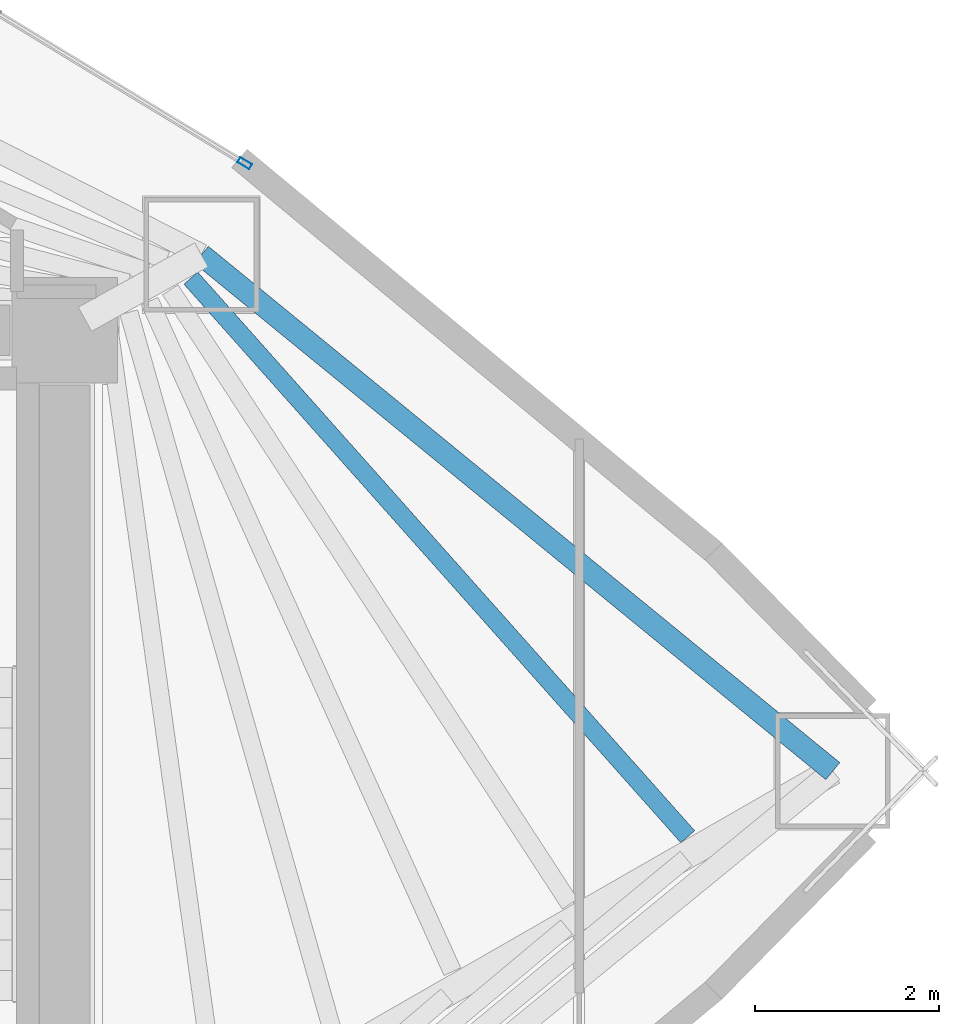
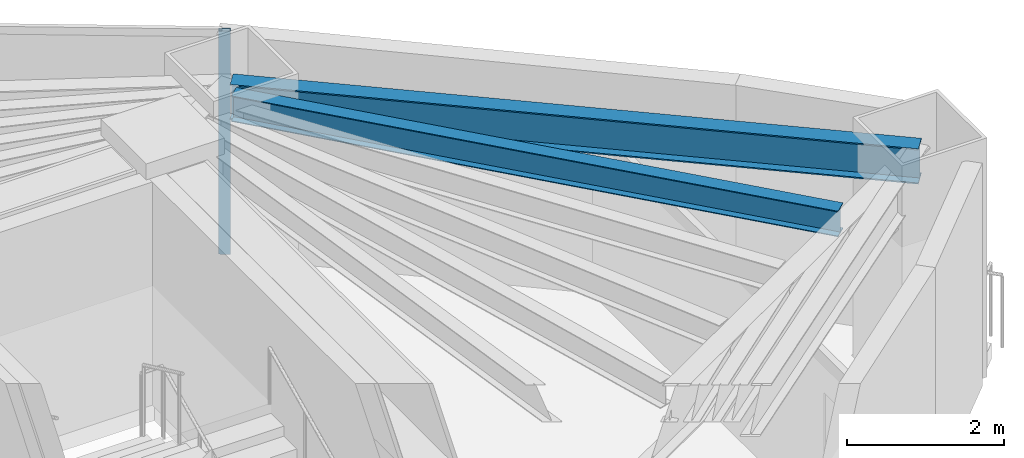
# One storey, part 12 of 18: 2 beams, 1 member, 1 element without a shape of its own.
"""IFC4 building model written with IfcOpenShell, lengths in metres."""

from ifc_helpers import new_model, si_unit, direction, frame, origin, origin_2d, place, context, subcontext, project, spatial, hollow_rectangle, i_section, extrude, material, layer, layer_set, material_profile, profile_set, type_object, element, aggregate, save


model = new_model("IFC4")

# Units and contexts
model_context = context("Model", 3, precision=1e-05, world=origin(), true_north=direction((0.0, 1.0)))
body_context = subcontext(model_context, "Body", "Model", "MODEL_VIEW")
ifc_project = project(units=[si_unit("LENGTHUNIT", "METRE"), si_unit("AREAUNIT", "SQUARE_METRE"), si_unit("VOLUMEUNIT", "CUBIC_METRE"), si_unit("PLANEANGLEUNIT", "RADIAN"), si_unit("MASSUNIT", "GRAM", prefix="KILO")], contexts=[model_context])

# Site, building, storey
site_placement = place(None, origin())
site = spatial("IfcSite", under=ifc_project, at=site_placement, CompositionType="ELEMENT")
building_placement = place(site_placement, origin())
building = spatial("IfcBuilding", under=site, at=building_placement, Name="Menara Vayukalpa", CompositionType="ELEMENT")
storey_placement = place(building_placement, frame((0.0, 0.0, 126.300048828125)))
storey = spatial("IfcBuildingStorey", under=building, at=storey_placement, Name="L31", CompositionType="ELEMENT", Elevation=126.300048828125)

# Beams
ifc_material_1 = material(Name="Steel S355", Category="steel")
ifc_material_profile_1 = material_profile(ifc_material_1, i_section(OverallWidth=0.199951171875, OverallDepth=0.39990234375, WebThickness=0.008056640625, FlangeThickness=0.012939453125, at=origin_2d()), Name="WF 400x200x8x13")
ifc_profile_set_1 = profile_set([ifc_material_profile_1], Name="Steel S355")
beam_type_1 = type_object("IfcBeamType", Name="BM-SJ2", PredefinedType="JOIST", material=ifc_profile_set_1)
beam_1_placement = place(storey_placement, frame((40.182861328125, 21.285400390625, 3.27001953125), z_axis=(-0.664656003625, 0.747149514384, 0.0), x_axis=(-0.747149514384, -0.664656003625, 0.0)))
element("IfcBeam", 1, at=beam_1_placement, inside=storey, type_object=beam_type_1, Name="L31 Secondary Floor Joist SJ01-5", PredefinedType="JOIST", context=body_context, shape_type="SweptSolid", body=[
    extrude(i_section(OverallWidth=0.199951171875, OverallDepth=0.39990234375, WebThickness=0.008056640625, FlangeThickness=0.012939453125, at=origin_2d()), origin(), (0.0, 0.0, 1.0), 8.1416015625),
])
ifc_material_2 = material(Name="Steel S355", Category="steel")
ifc_material_profile_2 = material_profile(ifc_material_2, i_section(OverallWidth=0.239990234375, OverallDepth=0.550048828125, WebThickness=0.010986328125, FlangeThickness=0.01904296875, at=origin_2d()), Name="WF 550x240x11x19")
ifc_profile_set_2 = profile_set([ifc_material_profile_2], Name="Steel S355")
beam_type_2 = type_object("IfcBeamType", Name="BM-SP2", PredefinedType="SPANDREL", material=ifc_profile_set_2)
beam_2_placement = place(storey_placement, frame((41.761962890625, 22.0, 3.195068359375), z_axis=(-0.774156906301, 0.632993747541, 0.0), x_axis=(-0.632993747541, -0.774156906301, 0.0)))
element("IfcBeam", 2, at=beam_2_placement, inside=storey, type_object=beam_type_2, Name="L31 Perimeter Spandrel Beam SP01", PredefinedType="SPANDREL", context=body_context, shape_type="SweptSolid", body=[
    extrude(i_section(OverallWidth=0.239990234375, OverallDepth=0.550048828125, WebThickness=0.010986328125, FlangeThickness=0.01904296875, at=origin_2d()), origin(), (0.0, 0.0, 1.0), 8.880859375),
])

# Curtain wall, member
ifc_material_3 = material(Name="Anodised Terracotta Aluminium Alloy 6063-T6", Category="masonry")
ifc_layer = layer(ifc_material_3, 0.14990234375)
ifc_layer_set = layer_set([ifc_layer], Name="Anodised Terracotta Aluminium Alloy 6063-T6")
curtain_wall_type = type_object("IfcCurtainWallType", Name="CW-CW3", PredefinedType="USERDEFINED", material=ifc_layer_set)
curtain_wall_placement = place(storey_placement, origin())
curtain_wall = element("IfcCurtainWall", 3, at=curtain_wall_placement, inside=storey, type_object=curtain_wall_type, Name="L31 Mid Rise Terracotta Ribbon Curtain Wall CW3 04", ObjectType="UNITISED", PredefinedType="USERDEFINED")
ifc_material_4 = material(Name="Anodised Terracotta Aluminium Alloy 6063-T6", Category="masonry")
ifc_material_profile_3 = material_profile(ifc_material_4, hollow_rectangle(XDim=0.06494140625, YDim=0.14990234375, WallThickness=0.00341796875, at=origin_2d()), Name="ALU 65x150x3.5")
ifc_profile_set_3 = profile_set([ifc_material_profile_3], Name="Anodised Terracotta Aluminium Alloy 6063-T6")
member_type = type_object("IfcMemberType", Name="CWM-CW3", PredefinedType="MULLION", material=ifc_profile_set_3)
member_placement = place(storey_placement, frame((35.358154296875, 28.61865234375, 0.0), z_axis=(0.0, 0.0, 1.0), x_axis=(-0.519182959112, -0.854663123674, 0.0)))
member = element("IfcMember", 4, at=member_placement, type_object=member_type, Name="CW3 mullion 1", PredefinedType="MULLION", context=body_context, shape_type="SweptSolid", body=[
    extrude(hollow_rectangle(XDim=0.06494140625, YDim=0.14990234375, WallThickness=0.00341796875, at=origin_2d()), origin(), (0.0, 0.0, 1.0), 3.469970703125),
])
aggregate(curtain_wall, [member])

save(model, "model.ifc")
